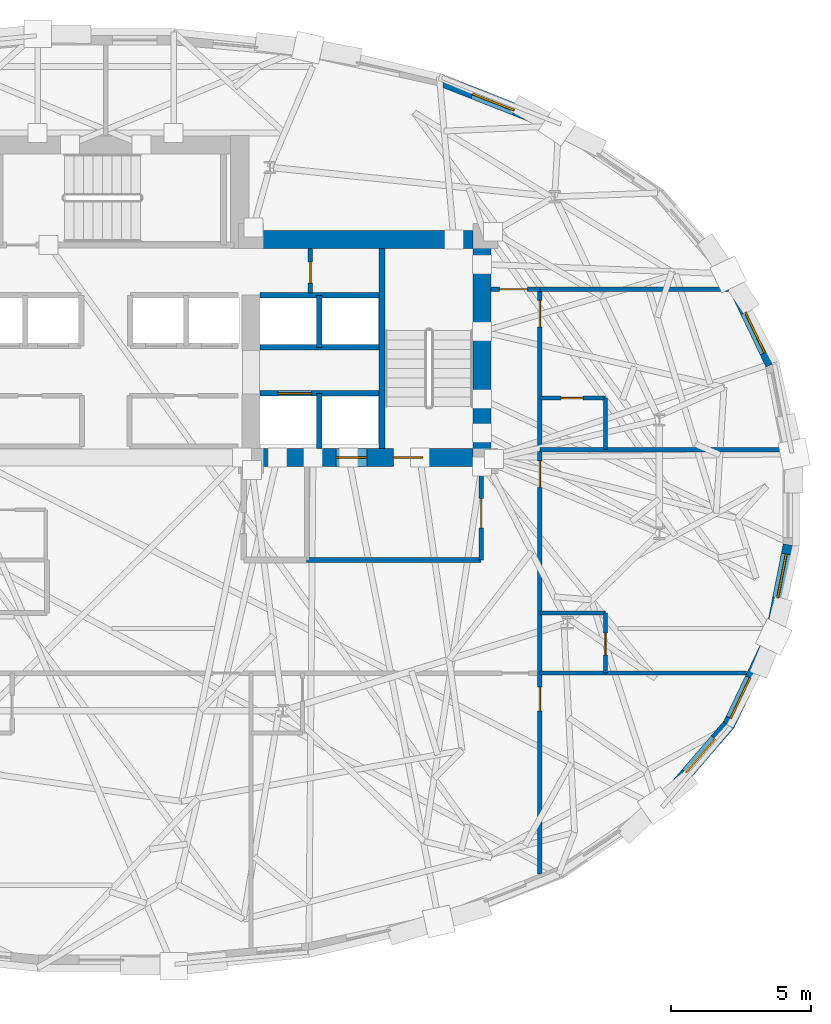
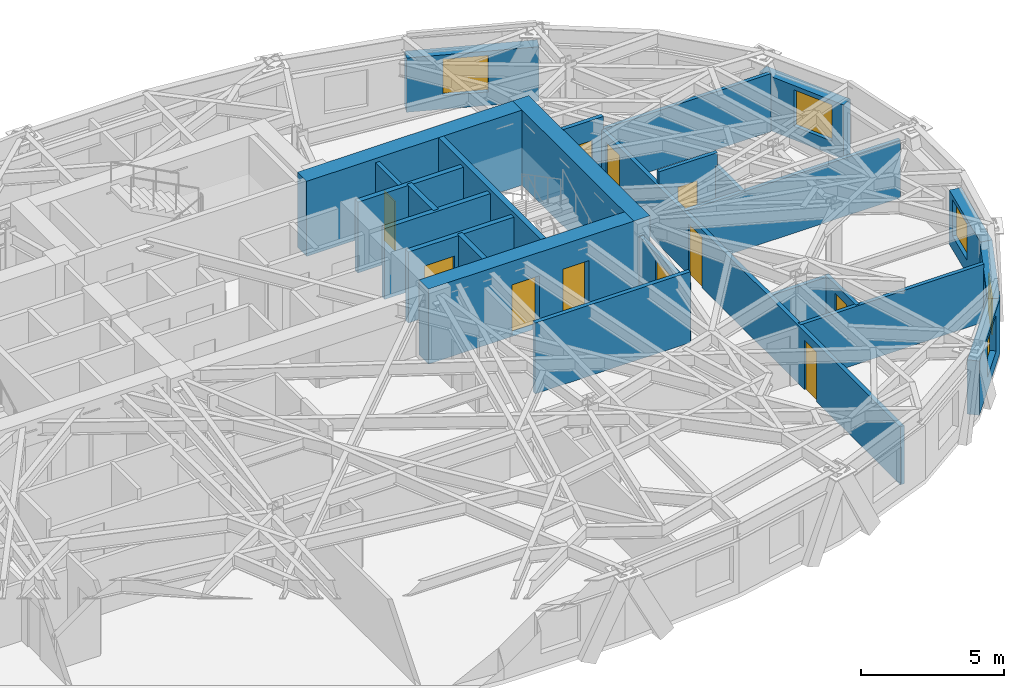
# One storey, part 9 of 14: 26 walls, 11 doors, 5 windows, 16 openings.
"""IFC4 building model written with IfcOpenShell, lengths in metres."""

from ifc_helpers import new_model, si_unit, direction, frame, frame_2d, origin, place, context, subcontext, project, spatial, rectangle, extrude, material, layer, layer_set, type_object, element, fill, save


model = new_model("IFC4")

# Units and contexts
model_context = context("Model", 3, precision=1e-05, world=origin(), true_north=direction((0.0, 1.0)))
body_context = subcontext(model_context, "Body", "Model", "MODEL_VIEW")
ifc_project = project(units=[si_unit("LENGTHUNIT", "METRE"), si_unit("AREAUNIT", "SQUARE_METRE"), si_unit("VOLUMEUNIT", "CUBIC_METRE"), si_unit("PLANEANGLEUNIT", "RADIAN"), si_unit("MASSUNIT", "GRAM", prefix="KILO")], contexts=[model_context])

# Site, building, storey
site_placement = place(None, origin())
site = spatial("IfcSite", under=ifc_project, at=site_placement, CompositionType="ELEMENT")
building_placement = place(site_placement, origin())
building = spatial("IfcBuilding", under=site, at=building_placement, Name="Keldmark Tower", CompositionType="ELEMENT")
storey_placement = place(building_placement, frame((0.0, 0.0, 153.39990234375)))
storey = spatial("IfcBuildingStorey", under=building, at=storey_placement, Name="L41", CompositionType="ELEMENT", Elevation=153.39990234375)

# Wall
ifc_material_1 = material(Name="Type X Fire-Rated Gypsum Partition Assembly", Category="gypsum")
ifc_layer_1 = layer(ifc_material_1, 0.1650390625)
ifc_layer_set_1 = layer_set([ifc_layer_1], Name="Type X Fire-Rated Gypsum Partition Assembly")
wall_type_1 = type_object("IfcWallType", Name="Rated Partition 165 mm", PredefinedType="PARTITIONING", material=ifc_layer_set_1)
wall_1_placement = place(storey_placement, frame((7.199951171875, -2.14990234375, 0.0), z_axis=(0.0, 0.0, 1.0), x_axis=(1.0, 0.0, 0.0)))
element("IfcWall", 1, at=wall_1_placement, inside=storey, type_object=wall_type_1, Name="L41 Rated Partition 165 mm FSAE-E-S", PredefinedType="PARTITIONING", context=body_context, shape_type="SweptSolid", body=[
    extrude(rectangle(XDim=6.25, YDim=0.1650390625, at=frame_2d((3.125, 0.0))), origin(), (0.0, 0.0, 1.0), 3.02001953125),
])

# Wall, opening, door
wall_2_placement = place(storey_placement, frame((13.449951171875, -2.14990234375, 0.0), z_axis=(0.0, 0.0, 1.0), x_axis=(0.0, 1.0, 0.0)))
wall_2 = element("IfcWall", 2, at=wall_2_placement, inside=storey, type_object=wall_type_1, Name="L41 Rated Partition 165 mm FSAE-E-E", PredefinedType="PARTITIONING", context=body_context, shape_type="SweptSolid", body=[
    extrude(rectangle(XDim=3.39990234375, YDim=0.1650390625, at=frame_2d((1.699951171875, 0.0))), origin(), (0.0, 0.0, 1.0), 2.47314453125),
])
opening_1_placement = place(wall_2_placement, frame((1.14990234375, 0.0, 0.0)))
opening_1 = element("IfcOpeningElement", 3, at=opening_1_placement, cuts=wall_2, Name="Opening D-FL105", PredefinedType="OPENING", context=body_context, shape_type="SweptSolid", body=[
    extrude(rectangle(XDim=1.050048828125, YDim=2.14990234375, at=frame_2d((0.52490234375, 1.074951171875))), frame((0.0, 0.092529296875, 0.0), z_axis=(0.0, -1.0, 0.0), x_axis=(1.0, 0.0, 0.0)), (0.0, 0.0, 1.0), 0.18505859375),
])
ifc_material_2 = material(Name="Fire-Rated Mineral-Core Door and Vision Lite", Category="metal")
door_type_1 = type_object("IfcDoorType", Name="Fire Lobby Door 1050x2150", OperationType="NOTDEFINED", PredefinedType="DOOR", material=ifc_material_2)
door_1_placement = place(opening_1_placement, origin())
door_1 = element("IfcDoor", 4, at=door_1_placement, inside=storey, type_object=door_type_1, Name="L41 Fire Lobby Door 1050x2150 D-FSAEE-OUT-L41", OperationType="SINGLE_SWING_LEFT", OverallHeight=2.14990234375, OverallWidth=1.050048828125, PredefinedType="DOOR", context=body_context, shape_type="SweptSolid", body=[
    extrude(rectangle(XDim=1.050048828125, YDim=2.14990234375, at=frame_2d((0.52490234375, 1.074951171875))), frame((0.0, 0.02490234375, 0.0), z_axis=(0.0, -1.0, 0.0), x_axis=(1.0, 0.0, 0.0)), (0.0, 0.0, 1.0), 0.050048828125),
])
fill(opening_1, door_1)

wall_3_placement = place(storey_placement, frame((7.330078125, 7.419921875, 0.0), z_axis=(0.0, 0.0, 1.0), x_axis=(0.0, 1.0, 0.0)))
wall_3 = element("IfcWall", 5, at=wall_3_placement, inside=storey, type_object=wall_type_1, Name="L41 Rated Partition 165 mm CS-NE-W", PredefinedType="PARTITIONING", context=body_context, shape_type="SweptSolid", body=[
    extrude(rectangle(XDim=1.580078125, YDim=0.1650390625, at=frame_2d((0.7900390625, 0.0))), origin(), (0.0, 0.0, 1.0), 3.02001953125),
])
opening_2_placement = place(wall_3_placement, frame((0.35009765625, 0.0, 0.0)))
opening_2 = element("IfcOpeningElement", 6, at=opening_2_placement, cuts=wall_3, Name="Opening D-RS075", PredefinedType="OPENING", context=body_context, shape_type="SweptSolid", body=[
    extrude(rectangle(XDim=0.75, YDim=2.10009765625, at=frame_2d((0.375, 1.050048828125))), frame((0.0, 0.092529296875, 0.0), z_axis=(0.0, -1.0, 0.0), x_axis=(1.0, 0.0, 0.0)), (0.0, 0.0, 1.0), 0.18505859375),
])
ifc_material_3 = material(Name="Galvanized Fire-Rated Access Leaf", Category="metal")
door_type_2 = type_object("IfcDoorType", Name="Riser Access Door 750x2100", OperationType="NOTDEFINED", PredefinedType="DOOR", material=ifc_material_3)
door_2_placement = place(opening_2_placement, origin())
door_2 = element("IfcDoor", 7, at=door_2_placement, inside=storey, type_object=door_type_2, Name="L41 Riser Access Door 750x2100 D-CSNE1-L41", OperationType="SINGLE_SWING_RIGHT", OverallHeight=2.10009765625, OverallWidth=0.75, PredefinedType="DOOR", context=body_context, shape_type="SweptSolid", body=[
    extrude(rectangle(XDim=0.75, YDim=2.10009765625, at=frame_2d((0.375, 1.050048828125))), frame((0.0, 0.02490234375, 0.0), z_axis=(0.0, -1.0, 0.0), x_axis=(1.0, 0.0, 0.0)), (0.0, 0.0, 1.0), 0.050048828125),
])
fill(opening_2, door_2)

# Wall, openings, doors
wall_4_placement = place(storey_placement, frame((15.550048828125, -13.391357421875, 0.0), z_axis=(0.0, 0.0, 1.0), x_axis=(0.0, 1.0, 0.0)))
wall_4 = element("IfcWall", 8, at=wall_4_placement, inside=storey, type_object=wall_type_1, Name="L41 Rated Partition 165 mm HCOR-E", PredefinedType="PARTITIONING", context=body_context, shape_type="SweptSolid", body=[
    extrude(rectangle(XDim=20.94140625, YDim=0.1650390625, at=frame_2d((10.470703125, 0.0))), origin(), (0.0, 0.0, 1.0), 2.47314453125),
])
opening_3_placement = place(wall_4_placement, frame((5.8408203125, 0.0, 0.0)))
opening_3 = element("IfcOpeningElement", 9, at=opening_3_placement, cuts=wall_4, Name="Opening D-IN085", PredefinedType="OPENING", context=body_context, shape_type="SweptSolid", body=[
    extrude(rectangle(XDim=0.85009765625, YDim=2.10009765625, at=frame_2d((0.425048828125, 1.050048828125))), frame((0.0, 0.092529296875, 0.0), z_axis=(0.0, -1.0, 0.0), x_axis=(1.0, 0.0, 0.0)), (0.0, 0.0, 1.0), 0.18505859375),
])
opening_4_placement = place(wall_4_placement, frame((13.8408203125, 0.0, 0.0)))
opening_4 = element("IfcOpeningElement", 10, at=opening_4_placement, cuts=wall_4, Name="Opening D-HT095", PredefinedType="OPENING", context=body_context, shape_type="SweptSolid", body=[
    extrude(rectangle(XDim=0.949951171875, YDim=2.14990234375, at=frame_2d((0.47509765625, 1.074951171875))), frame((0.0, 0.092529296875, 0.0), z_axis=(0.0, -1.0, 0.0), x_axis=(1.0, 0.0, 0.0)), (0.0, 0.0, 1.0), 0.18505859375),
])
opening_5_placement = place(wall_4_placement, frame((19.5908203125, 0.0, 0.0)))
opening_5 = element("IfcOpeningElement", 11, at=opening_5_placement, cuts=wall_4, Name="Opening D-HT095", PredefinedType="OPENING", context=body_context, shape_type="SweptSolid", body=[
    extrude(rectangle(XDim=0.949951171875, YDim=2.14990234375, at=frame_2d((0.47509765625, 1.074951171875))), frame((0.0, 0.092529296875, 0.0), z_axis=(0.0, -1.0, 0.0), x_axis=(1.0, 0.0, 0.0)), (0.0, 0.0, 1.0), 0.18505859375),
])
ifc_material_4 = material(Name="Solid-Core Acoustic White Oak Fire-Rated Assembly", Category="wood")
door_type_3 = type_object("IfcDoorType", Name="Hotel Entry Door 950x2150", OperationType="NOTDEFINED", PredefinedType="DOOR", material=ifc_material_4)
door_3_placement = place(opening_4_placement, origin())
door_3 = element("IfcDoor", 12, at=door_3_placement, inside=storey, type_object=door_type_3, Name="L41 Hotel Entry Door 950x2150 D-HR-7-L41", OperationType="SINGLE_SWING_LEFT", OverallHeight=2.14990234375, OverallWidth=0.949951171875, PredefinedType="DOOR", context=body_context, shape_type="SweptSolid", body=[
    extrude(rectangle(XDim=0.949951171875, YDim=2.14990234375, at=frame_2d((0.47509765625, 1.074951171875))), frame((0.0, 0.02490234375, 0.0), z_axis=(0.0, -1.0, 0.0), x_axis=(1.0, 0.0, 0.0)), (0.0, 0.0, 1.0), 0.050048828125),
])
fill(opening_4, door_3)
door_4_placement = place(opening_5_placement, origin())
door_4 = element("IfcDoor", 13, at=door_4_placement, inside=storey, type_object=door_type_3, Name="L41 Hotel Entry Door 950x2150 D-HR-8-L41", OperationType="SINGLE_SWING_LEFT", OverallHeight=2.14990234375, OverallWidth=0.949951171875, PredefinedType="DOOR", context=body_context, shape_type="SweptSolid", body=[
    extrude(rectangle(XDim=0.949951171875, YDim=2.14990234375, at=frame_2d((0.47509765625, 1.074951171875))), frame((0.0, 0.02490234375, 0.0), z_axis=(0.0, -1.0, 0.0), x_axis=(1.0, 0.0, 0.0)), (0.0, 0.0, 1.0), 0.050048828125),
])
fill(opening_5, door_4)
ifc_material_5 = material(Name="Painted Architectural Wood", Category="wood")
door_type_4 = type_object("IfcDoorType", Name="Interior Door 850x2100", OperationType="NOTDEFINED", PredefinedType="DOOR", material=ifc_material_5)
door_5_placement = place(opening_3_placement, origin())
door_5 = element("IfcDoor", 14, at=door_5_placement, inside=storey, type_object=door_type_4, Name="L41 Interior Door 850x2100 D-HKSE-L41", OperationType="SINGLE_SWING_RIGHT", OverallHeight=2.10009765625, OverallWidth=0.85009765625, PredefinedType="DOOR", context=body_context, shape_type="SweptSolid", body=[
    extrude(rectangle(XDim=0.85009765625, YDim=2.10009765625, at=frame_2d((0.425048828125, 1.050048828125))), frame((0.0, 0.02490234375, 0.0), z_axis=(0.0, -1.0, 0.0), x_axis=(1.0, 0.0, 0.0)), (0.0, 0.0, 1.0), 0.050048828125),
])
fill(opening_3, door_5)

# Wall, opening, door
wall_5_placement = place(storey_placement, frame((13.800048828125, 7.550048828125, 0.0), z_axis=(0.0, 0.0, 1.0), x_axis=(1.0, 0.0, 0.0)))
wall_5 = element("IfcWall", 15, at=wall_5_placement, inside=storey, type_object=wall_type_1, Name="L41 Rated Partition 165 mm HCOR-EN", PredefinedType="PARTITIONING", context=body_context, shape_type="SweptSolid", body=[
    extrude(rectangle(XDim=1.75, YDim=0.1650390625, at=frame_2d((0.875, 0.0))), origin(), (0.0, 0.0, 1.0), 3.02001953125),
])
opening_6_placement = place(wall_5_placement, frame((0.300048828125, 0.0, 0.0)))
opening_6 = element("IfcOpeningElement", 16, at=opening_6_placement, cuts=wall_5, Name="Opening D-FD100", PredefinedType="OPENING", context=body_context, shape_type="SweptSolid", body=[
    extrude(rectangle(XDim=1.0, YDim=2.14990234375, at=frame_2d((0.5, 1.074951171875))), frame((0.0, 0.092529296875, 0.0), z_axis=(0.0, -1.0, 0.0), x_axis=(1.0, 0.0, 0.0)), (0.0, 0.0, 1.0), 0.18505859375),
])
ifc_material_6 = material(Name="Hollow Metal Fire-Rated Corridor Door", Category="metal")
door_type_5 = type_object("IfcDoorType", Name="Fire Door 1000x2150", OperationType="NOTDEFINED", PredefinedType="DOOR", material=ifc_material_6)
door_6_placement = place(opening_6_placement, origin())
door_6 = element("IfcDoor", 17, at=door_6_placement, inside=storey, type_object=door_type_5, Name="L41 Fire Door 1000x2150 D-HNNE-L41", OperationType="SINGLE_SWING_RIGHT", OverallHeight=2.14990234375, OverallWidth=1.0, PredefinedType="DOOR", context=body_context, shape_type="SweptSolid", body=[
    extrude(rectangle(XDim=1.0, YDim=2.14990234375, at=frame_2d((0.5, 1.074951171875))), frame((0.0, 0.02490234375, 0.0), z_axis=(0.0, -1.0, 0.0), x_axis=(1.0, 0.0, 0.0)), (0.0, 0.0, 1.0), 0.050048828125),
])
fill(opening_6, door_6)

ifc_material_7 = material(Name="Fire-Resistant Type X Gypsum Shaftliner Coreboard", Category="gypsum")
ifc_layer_2 = layer(ifc_material_7, 0.199951171875)
ifc_layer_set_2 = layer_set([ifc_layer_2], Name="Fire-Resistant Type X Gypsum Shaftliner Coreboard")
wall_type_2 = type_object("IfcWallType", Name="Shaft Wall 200 mm", PredefinedType="SOLIDWALL", material=ifc_layer_set_2)
wall_6_placement = place(storey_placement, frame((5.52490234375, 3.820068359375, 0.0), z_axis=(0.0, 0.0, 1.0), x_axis=(1.0, 0.0, 0.0)))
wall_6 = element("IfcWall", 18, at=wall_6_placement, inside=storey, type_object=wall_type_2, Name="L41 Shaft Wall 200 mm HW-E-S", PredefinedType="SOLIDWALL", context=body_context, shape_type="SweptSolid", body=[
    extrude(rectangle(XDim=4.255126953125, YDim=0.199951171875, at=frame_2d((2.12744140625, 0.0))), origin(), (0.0, 0.0, 1.0), 3.02001953125),
])
opening_7_placement = place(wall_6_placement, frame((0.64990234375, 0.0, 0.0)))
opening_7 = element("IfcOpeningElement", 19, at=opening_7_placement, cuts=wall_6, Name="Opening LD-120", PredefinedType="OPENING", context=body_context, shape_type="SweptSolid", body=[
    extrude(rectangle(XDim=1.199951171875, YDim=2.199951171875, at=frame_2d((0.60009765625, 1.10009765625))), frame((0.0, 0.10986328125, 0.0), z_axis=(0.0, -1.0, 0.0), x_axis=(1.0, 0.0, 0.0)), (0.0, 0.0, 1.0), 0.219970703125),
])
ifc_material_8 = material(Name="Heavy-Duty Brushed Metal Hoistway Sliding Leaf", Category="metal")
door_type_6 = type_object("IfcDoorType", Name="Service Lift Sliding Door 1200x2200", OperationType="SLIDING_TO_RIGHT", PredefinedType="DOOR", material=ifc_material_8)
door_7_placement = place(opening_7_placement, origin())
door_7 = element("IfcDoor", 20, at=door_7_placement, inside=storey, type_object=door_type_6, Name="L41 Service Lift Sliding Door 1200x2200 LD-EL-SV1-L41", OperationType="SLIDING_TO_RIGHT", OverallHeight=2.199951171875, OverallWidth=1.199951171875, PredefinedType="DOOR", context=body_context, shape_type="SweptSolid", body=[
    extrude(rectangle(XDim=1.199951171875, YDim=2.199951171875, at=frame_2d((0.60009765625, 1.10009765625))), frame((0.0, 0.02490234375, 0.0), z_axis=(0.0, -1.0, 0.0), x_axis=(1.0, 0.0, 0.0)), (0.0, 0.0, 1.0), 0.050048828125),
])
fill(opening_7, door_7)

# Walls
wall_7_placement = place(storey_placement, frame((7.64990234375, 1.85009765625, 0.0), z_axis=(0.0, 0.0, 1.0), x_axis=(0.0, 1.0, 0.0)))
element("IfcWall", 21, at=wall_7_placement, inside=storey, type_object=wall_type_2, Name="L41 Shaft Wall 200 mm HW-E-M", PredefinedType="SOLIDWALL", context=body_context, shape_type="SweptSolid", body=[
    extrude(rectangle(XDim=1.969970703125, YDim=0.199951171875, at=frame_2d((0.98486328125, 0.0))), origin(), (0.0, 0.0, 1.0), 3.02001953125),
])
for number, where, z_axis, x_axis, name in (
    (22, (5.52490234375, 5.469970703125, 0.0), (0.0, 0.0, 1.0), (1.0, 0.0, 0.0), "L41 Shaft Wall 200 mm HW-E-N"),
    (23, (5.52490234375, 7.330078125, 0.0), (0.0, 0.0, 1.0), (1.0, 0.0, 0.0), "L41 Shaft Wall 200 mm HW-E-TOP"),
):
    element("IfcWall", number, at=place(storey_placement, frame(where, z_axis=z_axis, x_axis=x_axis)), inside=storey, type_object=wall_type_2, Name=name, PredefinedType="SOLIDWALL", context=body_context, shape_type="SweptSolid", body=[
        extrude(rectangle(XDim=4.255126953125, YDim=0.199951171875, at=frame_2d((2.12744140625, 0.0))), origin(), (0.0, 0.0, 1.0), 3.02001953125),
    ])
wall_8_placement = place(storey_placement, frame((7.64990234375, 5.469970703125, 0.0), z_axis=(0.0, 0.0, 1.0), x_axis=(0.0, 1.0, 0.0)))
element("IfcWall", 24, at=wall_8_placement, inside=storey, type_object=wall_type_2, Name="L41 Shaft Wall 200 mm HW-E-NM", PredefinedType="SOLIDWALL", context=body_context, shape_type="SweptSolid", body=[
    extrude(rectangle(XDim=1.860107421875, YDim=0.199951171875, at=frame_2d((0.93017578125, 0.0))), origin(), (0.0, 0.0, 1.0), 3.02001953125),
])
ifc_material_9 = material(Name="Concrete C50/60", Category="concrete")
ifc_layer_3 = layer(ifc_material_9, 0.219970703125)
ifc_layer_set_3 = layer_set([ifc_layer_3], Name="Concrete C50/60")
wall_type_3 = type_object("IfcWallType", Name="Stair Core Shear Wall 220 mm", PredefinedType="SHEAR", material=ifc_layer_set_3)
wall_9_placement = place(storey_placement, frame((9.889892578125, 1.85009765625, 0.0), z_axis=(0.0, 0.0, 1.0), x_axis=(0.0, 1.0, 0.0)))
element("IfcWall", 25, at=wall_9_placement, inside=storey, type_object=wall_type_3, Name="L41 East Stair Core Shear Wall", PredefinedType="SHEAR", context=body_context, shape_type="SweptSolid", body=[
    extrude(rectangle(XDim=7.14990234375, YDim=0.219970703125, at=frame_2d((3.574951171875, 0.0))), origin(), (0.0, 0.0, 1.0), 3.2001953125),
])

# Wall, opening, window
ifc_material_10 = material(Name="Ironspot Manganese Brick and Kasota Buff Limestone Spandrel Assembly", Category="masonry")
ifc_layer_4 = layer(ifc_material_10, 0.43994140625)
ifc_layer_set_4 = layer_set([ifc_layer_4], Name="Ironspot Manganese Brick and Kasota Buff Limestone Spandrel Assembly")
wall_type_4 = type_object("IfcWallType", Name="Tower Brick Pier and Spandrel Wall 440 mm", PredefinedType="STANDARD", material=ifc_layer_set_4)
wall_10_placement = place(storey_placement, frame((22.315673828125, 8.0625, 0.0), z_axis=(0.0, 0.0, 1.0), x_axis=(0.430899691529, -0.902399831472, 0.0)))
wall_10 = element("IfcWall", 26, at=wall_10_placement, inside=storey, type_object=wall_type_4, Name="L41 Exterior Brick and Spandrel Wall 02", PredefinedType="STANDARD", context=body_context, shape_type="SweptSolid", body=[
    extrude(rectangle(XDim=3.559814453125, YDim=0.43994140625, at=frame_2d((1.77978515625, 0.0))), origin(), (0.0, 0.0, 1.0), 2.315185546875),
])
opening_8_placement = place(wall_10_placement, frame((1.46728515625, 0.0, 0.580078125)))
opening_8 = element("IfcOpeningElement", 27, at=opening_8_placement, cuts=wall_10, Name="Opening W-04", PredefinedType="OPENING", context=body_context, shape_type="SweptSolid", body=[
    extrude(rectangle(XDim=1.60009765625, YDim=1.550048828125, at=frame_2d((0.800048828125, 0.77490234375))), frame((0.0, 0.22998046875, 0.0), z_axis=(0.0, -1.0, 0.0), x_axis=(1.0, 0.0, 0.0)), (0.0, 0.0, 1.0), 0.4599609375),
])
ifc_material_11 = material(Name="Thermally Broken Anodized Aluminum and Triple Low-E Argon Glazing", Category="aluminium")
window_type = type_object("IfcWindowType", Name="Hotel Deep-Set Operable Window 1600x1550", PartitioningType="DOUBLE_PANEL_HORIZONTAL", PredefinedType="WINDOW", material=ifc_material_11)
window_1_placement = place(opening_8_placement, origin())
window_1 = element("IfcWindow", 28, at=window_1_placement, inside=storey, type_object=window_type, Name="L41 Deep-Set Window 02", OverallHeight=1.550048828125, OverallWidth=1.60009765625, PartitioningType="SINGLE_PANEL", PredefinedType="WINDOW", context=body_context, shape_type="SweptSolid", body=[
    extrude(rectangle(XDim=1.60009765625, YDim=1.550048828125, at=frame_2d((0.800048828125, 0.77490234375))), frame((0.0, -0.010009765625, 0.0), z_axis=(0.0, -1.0, 0.0), x_axis=(1.0, 0.0, 0.0)), (0.0, 0.0, 1.0), 0.06005859375),
])
fill(opening_8, window_1)

wall_11_placement = place(storey_placement, frame((11.953369140625, 15.056396484375, 0.0), z_axis=(0.0, 0.0, 1.0), x_axis=(0.930130872211, -0.367228213186, 0.0)))
wall_11 = element("IfcWall", 29, at=wall_11_placement, inside=storey, type_object=wall_type_4, Name="L41 Exterior Brick and Spandrel Wall 05", PredefinedType="STANDARD", context=body_context, shape_type="SweptSolid", body=[
    extrude(rectangle(XDim=4.686279296875, YDim=0.43994140625, at=frame_2d((2.34326171875, 0.0))), origin(), (0.0, 0.0, 1.0), 2.315185546875),
])
opening_9_placement = place(wall_11_placement, frame((1.29443359375, 0.0, 0.580078125)))
opening_9 = element("IfcOpeningElement", 30, at=opening_9_placement, cuts=wall_11, Name="Opening W-04", PredefinedType="OPENING", context=body_context, shape_type="SweptSolid", body=[
    extrude(rectangle(XDim=1.60009765625, YDim=1.550048828125, at=frame_2d((0.800048828125, 0.77490234375))), frame((0.0, 0.22998046875, 0.0), z_axis=(0.0, -1.0, 0.0), x_axis=(1.0, 0.0, 0.0)), (0.0, 0.0, 1.0), 0.4599609375),
])
window_2_placement = place(opening_9_placement, origin())
window_2 = element("IfcWindow", 31, at=window_2_placement, inside=storey, type_object=window_type, Name="L41 Deep-Set Window 05", OverallHeight=1.550048828125, OverallWidth=1.60009765625, PartitioningType="SINGLE_PANEL", PredefinedType="WINDOW", context=body_context, shape_type="SweptSolid", body=[
    extrude(rectangle(XDim=1.60009765625, YDim=1.550048828125, at=frame_2d((0.800048828125, 0.77490234375))), frame((0.0, -0.010009765625, 0.0), z_axis=(0.0, -1.0, 0.0), x_axis=(1.0, 0.0, 0.0)), (0.0, 0.0, 1.0), 0.06005859375),
])
fill(opening_9, window_2)

wall_12_placement = place(storey_placement, frame((22.347412109375, -8.013916015625, 0.0), z_axis=(0.0, 0.0, 1.0), x_axis=(-0.651797156524, -0.758393345664, 0.0)))
wall_12 = element("IfcWall", 32, at=wall_12_placement, inside=storey, type_object=wall_type_4, Name="L41 Exterior Brick and Spandrel Wall 29", PredefinedType="STANDARD", context=body_context, shape_type="SweptSolid", body=[
    extrude(rectangle(XDim=3.895751953125, YDim=0.43994140625, at=frame_2d((1.94775390625, 0.0))), origin(), (0.0, 0.0, 1.0), 2.315185546875),
])
opening_10_placement = place(wall_12_placement, frame((0.748779296875, 0.0, 0.580078125)))
opening_10 = element("IfcOpeningElement", 33, at=opening_10_placement, cuts=wall_12, Name="Opening W-04", PredefinedType="OPENING", context=body_context, shape_type="SweptSolid", body=[
    extrude(rectangle(XDim=1.60009765625, YDim=1.550048828125, at=frame_2d((0.800048828125, 0.77490234375))), frame((0.0, 0.22998046875, 0.0), z_axis=(0.0, -1.0, 0.0), x_axis=(1.0, 0.0, 0.0)), (0.0, 0.0, 1.0), 0.4599609375),
])
window_3_placement = place(opening_10_placement, origin())
window_3 = element("IfcWindow", 34, at=window_3_placement, inside=storey, type_object=window_type, Name="L41 Deep-Set Window 29", OverallHeight=1.550048828125, OverallWidth=1.60009765625, PartitioningType="SINGLE_PANEL", PredefinedType="WINDOW", context=body_context, shape_type="SweptSolid", body=[
    extrude(rectangle(XDim=1.60009765625, YDim=1.550048828125, at=frame_2d((0.800048828125, 0.77490234375))), frame((0.0, -0.010009765625, 0.0), z_axis=(0.0, -1.0, 0.0), x_axis=(1.0, 0.0, 0.0)), (0.0, 0.0, 1.0), 0.06005859375),
])
fill(opening_10, window_3)

wall_13_placement = place(storey_placement, frame((23.849609375, -4.85009765625, 0.0), z_axis=(0.0, 0.0, 1.0), x_axis=(-0.430899691529, -0.902399831472, 0.0)))
wall_13 = element("IfcWall", 35, at=wall_13_placement, inside=storey, type_object=wall_type_4, Name="L41 Exterior Brick and Spandrel Wall 30", PredefinedType="STANDARD", context=body_context, shape_type="SweptSolid", body=[
    extrude(rectangle(XDim=3.559814453125, YDim=0.43994140625, at=frame_2d((1.77978515625, 0.0))), origin(), (0.0, 0.0, 1.0), 2.315185546875),
])
opening_11_placement = place(wall_13_placement, frame((1.711181640625, 0.0, 0.580078125)))
opening_11 = element("IfcOpeningElement", 36, at=opening_11_placement, cuts=wall_13, Name="Opening W-04", PredefinedType="OPENING", context=body_context, shape_type="SweptSolid", body=[
    extrude(rectangle(XDim=1.60009765625, YDim=1.550048828125, at=frame_2d((0.800048828125, 0.77490234375))), frame((0.0, 0.22998046875, 0.0), z_axis=(0.0, -1.0, 0.0), x_axis=(1.0, 0.0, 0.0)), (0.0, 0.0, 1.0), 0.4599609375),
])
window_4_placement = place(opening_11_placement, origin())
window_4 = element("IfcWindow", 37, at=window_4_placement, inside=storey, type_object=window_type, Name="L41 Deep-Set Window 30", OverallHeight=1.550048828125, OverallWidth=1.60009765625, PartitioningType="SINGLE_PANEL", PredefinedType="WINDOW", context=body_context, shape_type="SweptSolid", body=[
    extrude(rectangle(XDim=1.60009765625, YDim=1.550048828125, at=frame_2d((0.800048828125, 0.77490234375))), frame((0.0, -0.010009765625, 0.0), z_axis=(0.0, -1.0, 0.0), x_axis=(1.0, 0.0, 0.0)), (0.0, 0.0, 1.0), 0.06005859375),
])
fill(opening_11, window_4)

wall_14_placement = place(storey_placement, frame((24.48291015625, -1.606201171875, 0.0), z_axis=(0.0, 0.0, 1.0), x_axis=(-0.193669845908, -0.981066761635, 0.0)))
wall_14 = element("IfcWall", 38, at=wall_14_placement, inside=storey, type_object=wall_type_4, Name="L41 Exterior Brick and Spandrel Wall 31", PredefinedType="STANDARD", context=body_context, shape_type="SweptSolid", body=[
    extrude(rectangle(XDim=3.359619140625, YDim=0.43994140625, at=frame_2d((1.6796875, 0.0))), origin(), (0.0, 0.0, 1.0), 2.315185546875),
])
opening_12_placement = place(wall_14_placement, frame((0.345703125, 0.0, 0.580078125)))
opening_12 = element("IfcOpeningElement", 39, at=opening_12_placement, cuts=wall_14, Name="Opening W-04", PredefinedType="OPENING", context=body_context, shape_type="SweptSolid", body=[
    extrude(rectangle(XDim=1.60009765625, YDim=1.550048828125, at=frame_2d((0.800048828125, 0.77490234375))), frame((0.0, 0.22998046875, 0.0), z_axis=(0.0, -1.0, 0.0), x_axis=(1.0, 0.0, 0.0)), (0.0, 0.0, 1.0), 0.4599609375),
])
window_5_placement = place(opening_12_placement, origin())
window_5 = element("IfcWindow", 40, at=window_5_placement, inside=storey, type_object=window_type, Name="L41 Deep-Set Window 31", OverallHeight=1.550048828125, OverallWidth=1.60009765625, PartitioningType="SINGLE_PANEL", PredefinedType="WINDOW", context=body_context, shape_type="SweptSolid", body=[
    extrude(rectangle(XDim=1.60009765625, YDim=1.550048828125, at=frame_2d((0.800048828125, 0.77490234375))), frame((0.0, -0.010009765625, 0.0), z_axis=(0.0, -1.0, 0.0), x_axis=(1.0, 0.0, 0.0)), (0.0, 0.0, 1.0), 0.06005859375),
])
fill(opening_12, window_5)

# Walls
ifc_material_12 = material(Name="Concrete C50/60", Category="concrete")
ifc_layer_5 = layer(ifc_material_12, 0.64990234375)
ifc_layer_set_5 = layer_set([ifc_layer_5], Name="Concrete C50/60")
wall_type_5 = type_object("IfcWallType", Name="Upper-Mid Core Shear Wall 650 mm", PredefinedType="SHEAR", material=ifc_layer_set_5)
wall_15_placement = place(storey_placement, frame((13.47509765625, 1.199951171875, 0.0), z_axis=(0.0, 0.0, 1.0), x_axis=(0.0, 1.0, 0.0)))
element("IfcWall", 41, at=wall_15_placement, inside=storey, type_object=wall_type_5, Name="L41 East Core Outer Shear Wall", PredefinedType="SHEAR", context=body_context, shape_type="SweptSolid", body=[
    extrude(rectangle(XDim=8.449951171875, YDim=0.64990234375, at=frame_2d((4.22509765625, 0.0))), origin(), (0.0, 0.0, 1.0), 3.2001953125),
])
wall_16_placement = place(storey_placement, frame((4.47509765625, 9.324951171875, 0.0), z_axis=(0.0, 0.0, 1.0), x_axis=(1.0, 0.0, 0.0)))
element("IfcWall", 42, at=wall_16_placement, inside=storey, type_object=wall_type_5, Name="L41 East Core North Shear Wall", PredefinedType="SHEAR", context=body_context, shape_type="SweptSolid", body=[
    extrude(rectangle(XDim=9.324951171875, YDim=0.64990234375, at=frame_2d((4.66259765625, 0.0))), origin(), (0.0, 0.0, 1.0), 3.2001953125),
])

# Wall, openings, doors
wall_17_placement = place(storey_placement, frame((13.800048828125, 1.52490234375, 0.0), z_axis=(0.0, 0.0, 1.0), x_axis=(-1.0, 0.0, 0.0)))
wall_17 = element("IfcWall", 43, at=wall_17_placement, inside=storey, type_object=wall_type_5, Name="L41 East Core South Shear Wall", PredefinedType="SHEAR", context=body_context, shape_type="SweptSolid", body=[
    extrude(rectangle(XDim=8.925048828125, YDim=0.64990234375, at=frame_2d((4.46240234375, 0.0))), origin(), (0.0, 0.0, 1.0), 3.2001953125),
])
opening_13_placement = place(wall_17_placement, frame((2.449951171875, 0.0, 0.0)))
opening_13 = element("IfcOpeningElement", 44, at=opening_13_placement, cuts=wall_17, Name="Opening D-ST105", PredefinedType="OPENING", context=body_context, shape_type="SweptSolid", body=[
    extrude(rectangle(XDim=1.050048828125, YDim=2.14990234375, at=frame_2d((0.52490234375, 1.074951171875))), frame((0.0, 0.3349609375, 0.0), z_axis=(0.0, -1.0, 0.0), x_axis=(1.0, 0.0, 0.0)), (0.0, 0.0, 1.0), 0.669921875),
])
opening_14_placement = place(wall_17_placement, frame((4.449951171875, 0.0, 0.0)))
opening_14 = element("IfcOpeningElement", 45, at=opening_14_placement, cuts=wall_17, Name="Opening LD-110", PredefinedType="OPENING", context=body_context, shape_type="SweptSolid", body=[
    extrude(rectangle(XDim=1.10009765625, YDim=2.199951171875, at=frame_2d((0.550048828125, 1.10009765625))), frame((0.0, 0.3349609375, 0.0), z_axis=(0.0, -1.0, 0.0), x_axis=(1.0, 0.0, 0.0)), (0.0, 0.0, 1.0), 0.669921875),
])
ifc_material_13 = material(Name="Brushed Bronze Hoistway Sliding Leaf", Category="metal")
door_type_7 = type_object("IfcDoorType", Name="Lift Landing Sliding Door 1100x2200", OperationType="SLIDING_TO_LEFT", PredefinedType="DOOR", material=ifc_material_13)
door_8_placement = place(opening_14_placement, origin())
door_8 = element("IfcDoor", 46, at=door_8_placement, inside=storey, type_object=door_type_7, Name="L41 Lift Landing Sliding Door 1100x2200 LD-EL-FS2-L41", OperationType="SLIDING_TO_LEFT", OverallHeight=2.199951171875, OverallWidth=1.10009765625, PredefinedType="DOOR", context=body_context, shape_type="SweptSolid", body=[
    extrude(rectangle(XDim=1.10009765625, YDim=2.199951171875, at=frame_2d((0.550048828125, 1.10009765625))), frame((0.0, 0.02490234375, 0.0), z_axis=(0.0, -1.0, 0.0), x_axis=(1.0, 0.0, 0.0)), (0.0, 0.0, 1.0), 0.050048828125),
])
fill(opening_14, door_8)
ifc_material_14 = material(Name="Hollow Metal Fire-Rated Door Assembly", Category="metal")
door_type_8 = type_object("IfcDoorType", Name="Stair Fire Door 1050x2150", OperationType="NOTDEFINED", PredefinedType="DOOR", material=ifc_material_14)
door_9_placement = place(opening_13_placement, origin())
door_9 = element("IfcDoor", 47, at=door_9_placement, inside=storey, type_object=door_type_8, Name="L41 Stair Fire Door 1050x2150 D-ST2-L41", OperationType="SINGLE_SWING_LEFT", OverallHeight=2.14990234375, OverallWidth=1.050048828125, PredefinedType="DOOR", context=body_context, shape_type="SweptSolid", body=[
    extrude(rectangle(XDim=1.050048828125, YDim=2.14990234375, at=frame_2d((0.52490234375, 1.074951171875))), frame((0.0, 0.02490234375, 0.0), z_axis=(0.0, -1.0, 0.0), x_axis=(1.0, 0.0, 0.0)), (0.0, 0.0, 1.0), 0.050048828125),
])
fill(opening_13, door_9)

# Walls
ifc_material_15 = material(Name="Moisture-Resistant Gypsum Plumbing Partition", Category="gypsum")
ifc_layer_6 = layer(ifc_material_15, 0.14990234375)
ifc_layer_set_6 = layer_set([ifc_layer_6], Name="Moisture-Resistant Gypsum Plumbing Partition")
wall_type_6 = type_object("IfcWallType", Name="Wet Wall 150 mm", PredefinedType="PLUMBINGWALL", material=ifc_layer_set_6)
wall_18_placement = place(storey_placement, frame((15.550048828125, 7.550048828125, 0.0), z_axis=(0.0, 0.0, 1.0), x_axis=(1.0, 0.0, 0.0)))
element("IfcWall", 48, at=wall_18_placement, inside=storey, type_object=wall_type_6, Name="L41 Wet Wall 150 mm HE-CAP-N", PredefinedType="PLUMBINGWALL", context=body_context, shape_type="SweptSolid", body=[
    extrude(rectangle(XDim=6.757568359375, YDim=0.14990234375, at=frame_2d((3.37890625, 0.0))), origin(), (0.0, 0.0, 1.0), 2.47314453125),
])
wall_19_placement = place(storey_placement, frame((15.550048828125, -6.199951171875, 0.0), z_axis=(0.0, 0.0, 1.0), x_axis=(1.0, 0.0, 0.0)))
element("IfcWall", 49, at=wall_19_placement, inside=storey, type_object=wall_type_6, Name="L41 Wet Wall 150 mm HE-CAP-S", PredefinedType="PLUMBINGWALL", context=body_context, shape_type="SweptSolid", body=[
    extrude(rectangle(XDim=7.40234375, YDim=0.14990234375, at=frame_2d((3.701171875, 0.0))), origin(), (0.0, 0.0, 1.0), 2.47314453125),
])
wall_20_placement = place(storey_placement, frame((15.550048828125, 1.800048828125, 0.0), z_axis=(0.0, 0.0, 1.0), x_axis=(1.0, 0.0, 0.0)))
element("IfcWall", 50, at=wall_20_placement, inside=storey, type_object=wall_type_6, Name="L41 Wet Wall 150 mm HE-DIV-1", PredefinedType="PLUMBINGWALL", context=body_context, shape_type="SweptSolid", body=[
    extrude(rectangle(XDim=8.662353515625, YDim=0.14990234375, at=frame_2d((4.3310546875, 0.0))), origin(), (0.0, 0.0, 1.0), 2.47314453125),
])
wall_21_placement = place(storey_placement, frame((15.550048828125, -4.050048828125, 0.0), z_axis=(0.0, 0.0, 1.0), x_axis=(1.0, 0.0, 0.0)))
element("IfcWall", 51, at=wall_21_placement, inside=storey, type_object=wall_type_6, Name="L41 Wet Wall 150 mm HB-7-N", PredefinedType="PLUMBINGWALL", context=body_context, shape_type="SweptSolid", body=[
    extrude(rectangle(XDim=2.349853515625, YDim=0.14990234375, at=frame_2d((1.1748046875, 0.0))), origin(), (0.0, 0.0, 1.0), 2.398193359375),
])

# Wall, opening, door
wall_22_placement = place(storey_placement, frame((17.89990234375, -6.199951171875, 0.0), z_axis=(0.0, 0.0, 1.0), x_axis=(0.0, 1.0, 0.0)))
wall_22 = element("IfcWall", 52, at=wall_22_placement, inside=storey, type_object=wall_type_6, Name="L41 Wet Wall 150 mm HB-7-IN", PredefinedType="PLUMBINGWALL", context=body_context, shape_type="SweptSolid", body=[
    extrude(rectangle(XDim=2.14990234375, YDim=0.14990234375, at=frame_2d((1.074951171875, 0.0))), origin(), (0.0, 0.0, 1.0), 2.47314453125),
])
opening_15_placement = place(wall_22_placement, frame((0.639892578125, 0.0, 0.0)))
opening_15 = element("IfcOpeningElement", 53, at=opening_15_placement, cuts=wall_22, Name="Opening D-BT080", PredefinedType="OPENING", context=body_context, shape_type="SweptSolid", body=[
    extrude(rectangle(XDim=0.800048828125, YDim=2.10009765625, at=frame_2d((0.39990234375, 1.050048828125))), frame((0.0, 0.0849609375, 0.0), z_axis=(0.0, -1.0, 0.0), x_axis=(1.0, 0.0, 0.0)), (0.0, 0.0, 1.0), 0.169921875),
])
ifc_material_16 = material(Name="Moisture-Sealed Stained Wood", Category="wood")
door_type_9 = type_object("IfcDoorType", Name="Bathroom Door 800x2100", OperationType="NOTDEFINED", PredefinedType="DOOR", material=ifc_material_16)
door_10_placement = place(opening_15_placement, origin())
door_10 = element("IfcDoor", 54, at=door_10_placement, inside=storey, type_object=door_type_9, Name="L41 Bathroom Door 800x2100 D-HB-7-L41", OperationType="SINGLE_SWING_LEFT", OverallHeight=2.10009765625, OverallWidth=0.800048828125, PredefinedType="DOOR", context=body_context, shape_type="SweptSolid", body=[
    extrude(rectangle(XDim=0.800048828125, YDim=2.10009765625, at=frame_2d((0.39990234375, 1.050048828125))), frame((0.0, 0.02490234375, 0.0), z_axis=(0.0, -1.0, 0.0), x_axis=(1.0, 0.0, 0.0)), (0.0, 0.0, 1.0), 0.050048828125),
])
fill(opening_15, door_10)

wall_23_placement = place(storey_placement, frame((15.550048828125, 3.64990234375, 0.0), z_axis=(0.0, 0.0, 1.0), x_axis=(1.0, 0.0, 0.0)))
wall_23 = element("IfcWall", 55, at=wall_23_placement, inside=storey, type_object=wall_type_6, Name="L41 Wet Wall 150 mm HB-8-N", PredefinedType="PLUMBINGWALL", context=body_context, shape_type="SweptSolid", body=[
    extrude(rectangle(XDim=2.349853515625, YDim=0.14990234375, at=frame_2d((1.1748046875, 0.0))), origin(), (0.0, 0.0, 1.0), 3.02001953125),
])
opening_16_placement = place(wall_23_placement, frame((0.75, 0.0, 0.0)))
opening_16 = element("IfcOpeningElement", 56, at=opening_16_placement, cuts=wall_23, Name="Opening D-BT080", PredefinedType="OPENING", context=body_context, shape_type="SweptSolid", body=[
    extrude(rectangle(XDim=0.800048828125, YDim=2.10009765625, at=frame_2d((0.39990234375, 1.050048828125))), frame((0.0, 0.0849609375, 0.0), z_axis=(0.0, -1.0, 0.0), x_axis=(1.0, 0.0, 0.0)), (0.0, 0.0, 1.0), 0.169921875),
])
door_11_placement = place(opening_16_placement, origin())
door_11 = element("IfcDoor", 57, at=door_11_placement, inside=storey, type_object=door_type_9, Name="L41 Bathroom Door 800x2100 D-HB-8-L41", OperationType="SINGLE_SWING_LEFT", OverallHeight=2.10009765625, OverallWidth=0.800048828125, PredefinedType="DOOR", context=body_context, shape_type="SweptSolid", body=[
    extrude(rectangle(XDim=0.800048828125, YDim=2.10009765625, at=frame_2d((0.39990234375, 1.050048828125))), frame((0.0, 0.02490234375, 0.0), z_axis=(0.0, -1.0, 0.0), x_axis=(1.0, 0.0, 0.0)), (0.0, 0.0, 1.0), 0.050048828125),
])
fill(opening_16, door_11)

# Wall
wall_24_placement = place(storey_placement, frame((17.89990234375, 1.800048828125, 0.0), z_axis=(0.0, 0.0, 1.0), x_axis=(0.0, 1.0, 0.0)))
element("IfcWall", 58, at=wall_24_placement, inside=storey, type_object=wall_type_6, Name="L41 Wet Wall 150 mm HB-8-IN", PredefinedType="PLUMBINGWALL", context=body_context, shape_type="SweptSolid", body=[
    extrude(rectangle(XDim=1.849853515625, YDim=0.14990234375, at=frame_2d((0.9248046875, 0.0))), origin(), (0.0, 0.0, 1.0), 2.47314453125),
])

save(model, "model.ifc")
